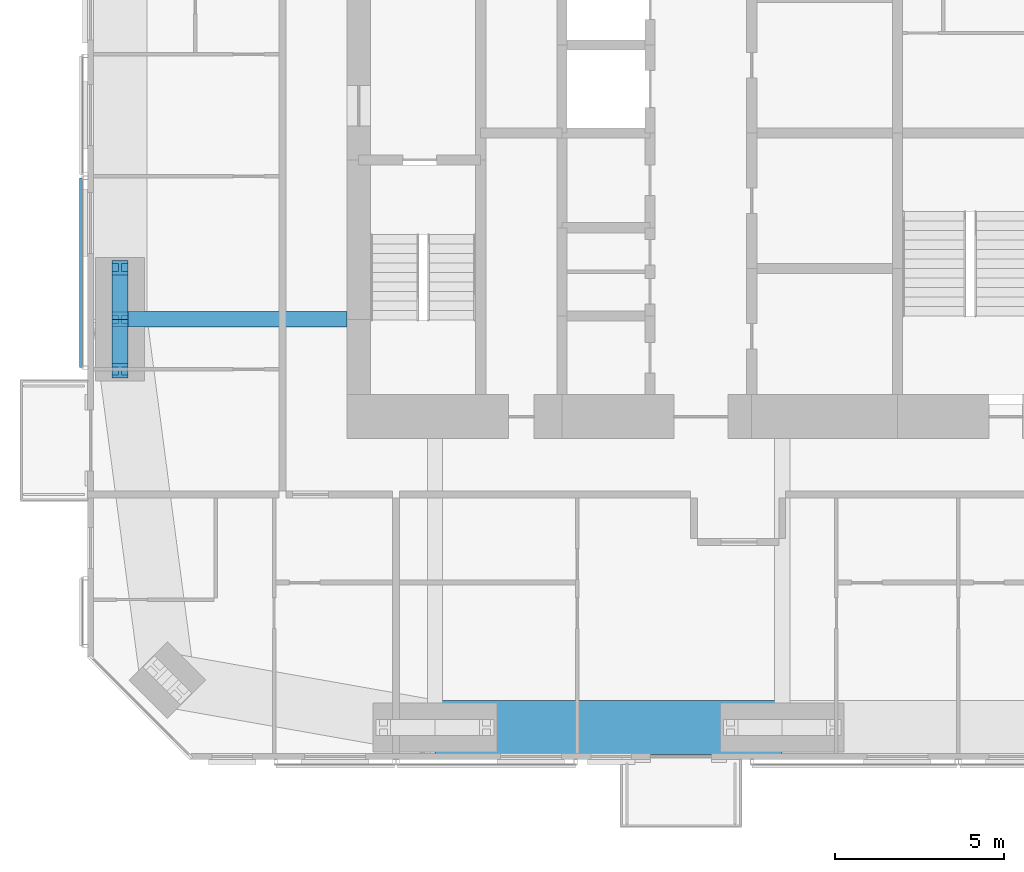
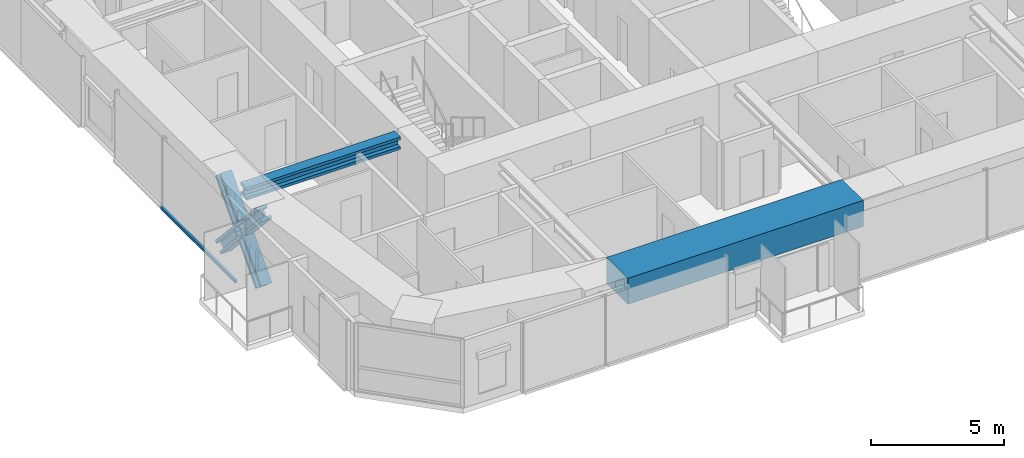
# One storey, part 3 of 23: 5 members, 2 beams, 1 element without a shape of its own.
"""IFC4 building model written with IfcOpenShell, lengths in metres."""

import ifcopenshell
import ifcopenshell.guid

model = None  # the IFC model being written
_history = None  # IfcOwnerHistory: only IFC2X3 demands one
_inside = {}  # id of a spatial element -> (the spatial element, [elements in it])
_under = {}  # id of a project, library or spatial element -> (it, [spatial elements below it])
_declared = {}  # id of a project -> (the project, [libraries it declares])
_typed = {}  # id of a type object -> (the type object, [elements of that type])
_made_of = {}  # id of a material, layer set ... -> (it, [elements and type objects made of it])


def new_model(schema):
    """Start an empty IFC model of exactly this schema.

    Asked for "IFC4X3", IfcOpenShell would pick the latest addendum, in which some entities
    have other attributes; the version numbers below select the first issue.
    IFC2X3 requires an IfcOwnerHistory on every rooted entity: one is made here for all.
    """
    global model, _history
    if schema == "IFC4X3":
        model = ifcopenshell.file(schema_version=(4, 3, 0, 0))
    else:
        model = ifcopenshell.file(schema=schema)
    _inside.clear()
    _under.clear()
    _declared.clear()
    _typed.clear()
    _made_of.clear()
    _history = None
    if model.schema == "IFC2X3":
        org = make("IfcOrganization", Name="unknown")
        user = make(
            "IfcPersonAndOrganization",
            ThePerson=make("IfcPerson", FamilyName="unknown"),
            TheOrganization=org,
        )
        app = make(
            "IfcApplication",
            ApplicationDeveloper=org,
            Version="unknown",
            ApplicationFullName="unknown",
            ApplicationIdentifier="unknown",
        )
        _history = make(
            "IfcOwnerHistory",
            OwningUser=user,
            OwningApplication=app,
            ChangeAction="ADDED",
            CreationDate=0,
        )
    return model


def make(cls, **values):
    """One entity of the class cls with the attributes given. An attribute that is None is left unset."""
    return model.create_entity(
        cls, **{name: value for name, value in values.items() if value is not None}
    )


def rooted(cls, **values):
    """An entity with a GlobalId (a new one), such as an element, a storey or a relation."""
    return make(cls, GlobalId=ifcopenshell.guid.new(), OwnerHistory=_history, **values)


def si_unit(unit_type, name, prefix=None):
    """IfcSIUnit, for example si_unit("LENGTHUNIT", "METRE", prefix="MILLI")."""
    return make("IfcSIUnit", UnitType=unit_type, Prefix=prefix, Name=name)


def assignment(units):
    """IfcUnitAssignment: the units of a project."""
    return None if units is None else make("IfcUnitAssignment", Units=units)


def point(xyz):
    """IfcCartesianPoint."""
    return None if xyz is None else make("IfcCartesianPoint", Coordinates=xyz)


def direction(xyz):
    """IfcDirection."""
    return None if xyz is None else make("IfcDirection", DirectionRatios=xyz)


def frame(location, z_axis=None, x_axis=None):
    """IfcAxis2Placement3D, a coordinate frame: its origin and axes. An axis left out is left unset."""
    return make(
        "IfcAxis2Placement3D",
        Location=point(location),
        Axis=direction(z_axis),
        RefDirection=direction(x_axis),
    )


def frame_2d(location, x_axis=None):
    """IfcAxis2Placement2D, a coordinate frame in the plane: its origin and x axis."""
    return make(
        "IfcAxis2Placement2D", Location=point(location), RefDirection=direction(x_axis)
    )


def origin():
    """The frame at (0, 0, 0) with its axes left unset."""
    return frame((0.0, 0.0, 0.0))


def origin_2d():
    """The frame at (0, 0) in the plane with its x axis left unset."""
    return frame_2d((0.0, 0.0))


def place(relative_to, where):
    """IfcLocalPlacement: puts the frame where relative to a parent placement (None: the world)."""
    return make(
        "IfcLocalPlacement", PlacementRelTo=relative_to, RelativePlacement=where
    )


def context(
    kind, dimensions, precision=None, world=None, true_north=None, identifier=None
):
    """IfcGeometricRepresentationContext, for example the 3D "Model" context."""
    return make(
        "IfcGeometricRepresentationContext",
        ContextIdentifier=identifier,
        ContextType=kind,
        CoordinateSpaceDimension=dimensions,
        Precision=precision,
        WorldCoordinateSystem=world,
        TrueNorth=true_north,
    )


def subcontext(parent, identifier, kind, view, scale=None):
    """IfcGeometricRepresentationSubContext, for example "Body" below "Model"."""
    return make(
        "IfcGeometricRepresentationSubContext",
        ContextIdentifier=identifier,
        ContextType=kind,
        ParentContext=parent,
        TargetScale=scale,
        TargetView=view,
    )


def project(units=None, contexts=None):
    """IfcProject with its units and contexts."""
    return rooted(
        "IfcProject",
        Name="project",
        RepresentationContexts=contexts,
        UnitsInContext=assignment(units),
    )


def spatial(cls, under=None, at=None, **own):
    """A site, building, storey or space (cls), placed at a placement, below another one or the project."""
    s = rooted(cls, ObjectPlacement=at, **own)
    if under is not None:
        _under.setdefault(under.id(), (under, []))[1].append(s)
    return s


def profile(cls, at=None, kind="AREA", **sizes):
    """A parametric profile (cls). Its sizes go by their IFC names, for example OverallWidth=200.0."""
    return make(cls, ProfileType=kind, Position=at, **sizes)


def rectangle(**sizes):
    """IfcRectangleProfileDef."""
    return profile("IfcRectangleProfileDef", **sizes)


def i_section(**sizes):
    """IfcIShapeProfileDef."""
    return profile("IfcIShapeProfileDef", **sizes)


def extrude(swept, where, along, depth):
    """IfcExtrudedAreaSolid: the profile swept, set in the frame where, extruded along a direction by depth."""
    return make(
        "IfcExtrudedAreaSolid",
        SweptArea=swept,
        Position=where,
        ExtrudedDirection=direction(along),
        Depth=depth,
    )


def shape(context_of_items, identifier, shape_type, items):
    """IfcShapeRepresentation: the items that make up one representation, for example the "Body"."""
    return make(
        "IfcShapeRepresentation",
        ContextOfItems=context_of_items,
        RepresentationIdentifier=identifier,
        RepresentationType=shape_type,
        Items=items,
    )


def material(Name=None, Category=None):
    """IfcMaterial."""
    return make("IfcMaterial", Name=Name, Category=Category)


def material_profile(
    of_material, cross_section, Name=None, Category=None, Priority=None
):
    """IfcMaterialProfile: a cross section and its material."""
    return make(
        "IfcMaterialProfile",
        Name=Name,
        Material=of_material,
        Profile=cross_section,
        Priority=Priority,
        Category=Category,
    )


def profile_set(profiles, Name=None, composite=None):
    """IfcMaterialProfileSet."""
    return make(
        "IfcMaterialProfileSet",
        Name=Name,
        MaterialProfiles=profiles,
        CompositeProfile=composite,
    )


def made_of(thing, what):
    """Note that an element or type object is made of a material, layer set ...; save() writes the relation."""
    if what is not None:
        _made_of.setdefault(what.id(), (what, []))[1].append(thing)
    return thing


def type_object(cls, material=None, **own):
    """A type object (cls), such as IfcWallType, which elements share."""
    return made_of(rooted(cls, **own), material)


def element(
    cls,
    number,
    at=None,
    inside=None,
    cuts=None,
    type_object=None,
    material=None,
    context=None,
    identifier="Body",
    shape_type=None,
    held_by="IfcProductDefinitionShape",
    body=None,
    shapes=None,
    **own,
):
    """One element of the class cls, such as IfcWall. Its Tag is "e" and its number.

    at: its placement. inside: the storey or other place that contains it. cuts: it is an
    opening in that element (IfcRelVoidsElement). A single representation is given by context,
    identifier, shape_type and body (its items); several are given by shapes. held_by: the class
    of the entity that holds the representations. save() writes the other relations.
    """
    e = rooted(cls, Tag="e%d" % number, ObjectPlacement=at, **own)
    if body is not None:
        shapes = [shape(context, identifier, shape_type, body)]
    if shapes is not None:
        e.Representation = make(held_by, Representations=shapes)
    if inside is not None:
        _inside.setdefault(inside.id(), (inside, []))[1].append(e)
    if cuts is not None:
        rooted(
            "IfcRelVoidsElement", RelatingBuildingElement=cuts, RelatedOpeningElement=e
        )
    if type_object is not None:
        _typed.setdefault(type_object.id(), (type_object, []))[1].append(e)
    return made_of(e, material)


def aggregate(whole, parts):
    """IfcRelAggregates: a whole, such as a stair, and the parts it consists of."""
    return rooted("IfcRelAggregates", RelatingObject=whole, RelatedObjects=parts)


def save(model, path):
    """Write the relations noted so far, then the file.

    IfcRelAggregates (storeys below a building ...), IfcRelContainedInSpatialStructure (elements
    in a storey), IfcRelDefinesByType, IfcRelAssociatesMaterial and IfcRelDeclares: one each for
    every whole, place, type object, material and project.
    """
    for whole, parts in _under.values():
        aggregate(whole, parts)
    for where, things in _inside.values():
        rooted(
            "IfcRelContainedInSpatialStructure",
            RelatedElements=things,
            RelatingStructure=where,
        )
    for kind, things in _typed.values():
        rooted("IfcRelDefinesByType", RelatedObjects=things, RelatingType=kind)
    for what, things in _made_of.values():
        rooted("IfcRelAssociatesMaterial", RelatedObjects=things, RelatingMaterial=what)
    for by, libraries in _declared.values():
        rooted("IfcRelDeclares", RelatingContext=by, RelatedDefinitions=libraries)
    model.write(path)


model = new_model("IFC4")

# Units and contexts
model_context = context("Model", 3, precision=1e-05, world=origin(), true_north=direction((0.0, 1.0)))
body_context = subcontext(model_context, "Body", "Model", "MODEL_VIEW")
ifc_project = project(units=[si_unit("LENGTHUNIT", "METRE"), si_unit("AREAUNIT", "SQUARE_METRE"), si_unit("VOLUMEUNIT", "CUBIC_METRE"), si_unit("PLANEANGLEUNIT", "RADIAN"), si_unit("MASSUNIT", "GRAM", prefix="KILO")], contexts=[model_context])

# Site, building, storey
site_placement = place(None, origin())
site = spatial("IfcSite", under=ifc_project, at=site_placement, CompositionType="ELEMENT")
building_placement = place(site_placement, origin())
building = spatial("IfcBuilding", under=site, at=building_placement, Name="Jalousie Tower", CompositionType="ELEMENT")
storey_placement = place(building_placement, frame((0.0, 0.0, 197.89990234375)))
storey = spatial("IfcBuildingStorey", under=building, at=storey_placement, Name="L54", CompositionType="ELEMENT", Elevation=197.89990234375)

# Beam
ifc_material_1 = material(Name="Steel ASTM A992 Grade 50", Category="steel")
ifc_material_profile_1 = material_profile(ifc_material_1, i_section(OverallWidth=0.45458984375, OverallDepth=0.569091796875, WebThickness=0.077880859375, FlangeThickness=0.124755859375, at=origin_2d()), Name="W14X730")
ifc_profile_set_1 = profile_set([ifc_material_profile_1], Name="Steel ASTM A992 Grade 50")
beam_type_1 = type_object("IfcBeamType", Name="LEAN COLLECTOR W14X730", PredefinedType="BEAM", material=ifc_profile_set_1)
beam_1_placement = place(storey_placement, frame((12.949951171875, 13.0, 2.82568359375), z_axis=(1.0, 0.0, 0.0), x_axis=(0.0, 1.0, 0.0)))
element("IfcBeam", 1, at=beam_1_placement, inside=storey, type_object=beam_type_1, Name="Lean collector under L55", PredefinedType="BEAM", context=body_context, shape_type="SweptSolid", body=[
    extrude(i_section(OverallWidth=0.45458984375, OverallDepth=0.569091796875, WebThickness=0.077880859375, FlangeThickness=0.124755859375, at=origin_2d()), origin(), (0.0, 0.0, 1.0), 6.699951171875),
])

# Members
ifc_material_2 = material(Name="Steel ASTM A992 Grade 50", Category="steel")
ifc_material_profile_2 = material_profile(ifc_material_2, i_section(OverallWidth=0.472412109375, OverallDepth=0.5791015625, WebThickness=0.094970703125, FlangeThickness=0.1298828125, at=origin_2d()), Name="W14X808")
ifc_profile_set_2 = profile_set([ifc_material_profile_2], Name="Steel ASTM A992 Grade 50")
member_type_1 = type_object("IfcMemberType", Name="PERIMETER BRACE W14X808", PredefinedType="BRACE", material=ifc_profile_set_2)
for number, where, z_axis, x_axis, name in (
    (2, (12.949951171875, 11.47509765625, -0.599853515625), (0.0, 0.673187629365, 0.739471713908), (-1.0, 0.0, 0.0), "Perimeter brace 14 L54 part 1"),
    (3, (12.949951171875, 13.0, 1.0751953125), (0.0, 0.673241284601, 0.739422864611), (-1.0, 0.0, 0.0), "Perimeter brace 14 L54 part 2"),
    (4, (12.949951171875, 14.52490234375, -0.599853515625), (0.0, -0.673187629365, 0.739471713908), (1.0, 0.0, 0.0), "Perimeter brace 14 L54 part 3"),
    (5, (12.949951171875, 13.0, 1.0751953125), (0.0, -0.673241284601, 0.739422864611), (1.0, 0.0, 0.0), "Perimeter brace 14 L54 part 4"),
):
    element("IfcMember", number, at=place(storey_placement, frame(where, z_axis=z_axis, x_axis=x_axis)), inside=storey, type_object=member_type_1, Name=name, PredefinedType="BRACE", context=body_context, shape_type="SweptSolid", body=[
        extrude(i_section(OverallWidth=0.472412109375, OverallDepth=0.5791015625, WebThickness=0.094970703125, FlangeThickness=0.1298828125, at=origin_2d()), origin(), (0.0, 0.0, 1.0), 2.26513671875),
    ])

# Beam
ifc_material_3 = material(Name="Concrete f'c 40 MPa", Category="concrete")
ifc_material_profile_3 = material_profile(ifc_material_3, rectangle(XDim=1.60009765625, YDim=1.199951171875, at=origin_2d()), Name="RC 1600x1200")
ifc_profile_set_3 = profile_set([ifc_material_profile_3], Name="Concrete f'c 40 MPa")
beam_type_2 = type_object("IfcBeamType", Name="RC BEAM 1600x1200", PredefinedType="BEAM", material=ifc_profile_set_3)
beam_2_placement = place(storey_placement, frame((22.25, 0.949951171875, 2.75), z_axis=(1.0, 0.0, 0.0), x_axis=(0.0, 1.0, 0.0)))
element("IfcBeam", 6, at=beam_2_placement, inside=storey, type_object=beam_type_2, Name="Edge band beam 02-03 under L55", PredefinedType="BEAM", context=body_context, shape_type="SweptSolid", body=[
    extrude(rectangle(XDim=1.60009765625, YDim=1.199951171875, at=origin_2d()), origin(), (0.0, 0.0, 1.0), 10.25),
])

# Curtain wall, member
ifc_material_4 = material(Name="Perforated aluminium sheet", Category="aluminium")
curtain_wall_type = type_object("IfcCurtainWallType", Name="SOLAR SCREEN SS-1", PredefinedType="USERDEFINED", material=ifc_material_4)
curtain_wall_placement = place(storey_placement, origin())
curtain_wall = element("IfcCurtainWall", 7, at=curtain_wall_placement, inside=storey, type_object=curtain_wall_type, Name="Solar screen L54", ObjectType="SOLAR SCREEN SS-1", PredefinedType="USERDEFINED")
ifc_material_5 = material(Name="Extruded aluminium screen rail", Category="aluminium")
ifc_material_profile_4 = material_profile(ifc_material_5, rectangle(XDim=0.1015625, YDim=0.1201171875, at=origin_2d()), Name="RAIL 102x120")
ifc_profile_set_4 = profile_set([ifc_material_profile_4], Name="Extruded aluminium screen rail")
member_type_2 = type_object("IfcMemberType", Name="SOLAR SCREEN SS-1 TRANSOM", PredefinedType="USERDEFINED", material=ifc_profile_set_4)
member_placement = place(storey_placement, frame((11.8017578125, 17.175048828125, -0.059814453125), z_axis=(0.0, -1.0, 0.0), x_axis=(1.0, 0.0, 0.0)))
member = element("IfcMember", 8, at=member_placement, type_object=member_type_2, Name="SS1 rail", ObjectType="TRANSOM", PredefinedType="USERDEFINED", context=body_context, shape_type="SweptSolid", body=[
    extrude(rectangle(XDim=0.1015625, YDim=0.1201171875, at=origin_2d()), origin(), (0.0, 0.0, 1.0), 5.60009765625),
])
aggregate(curtain_wall, [member])

save(model, "model.ifc")
